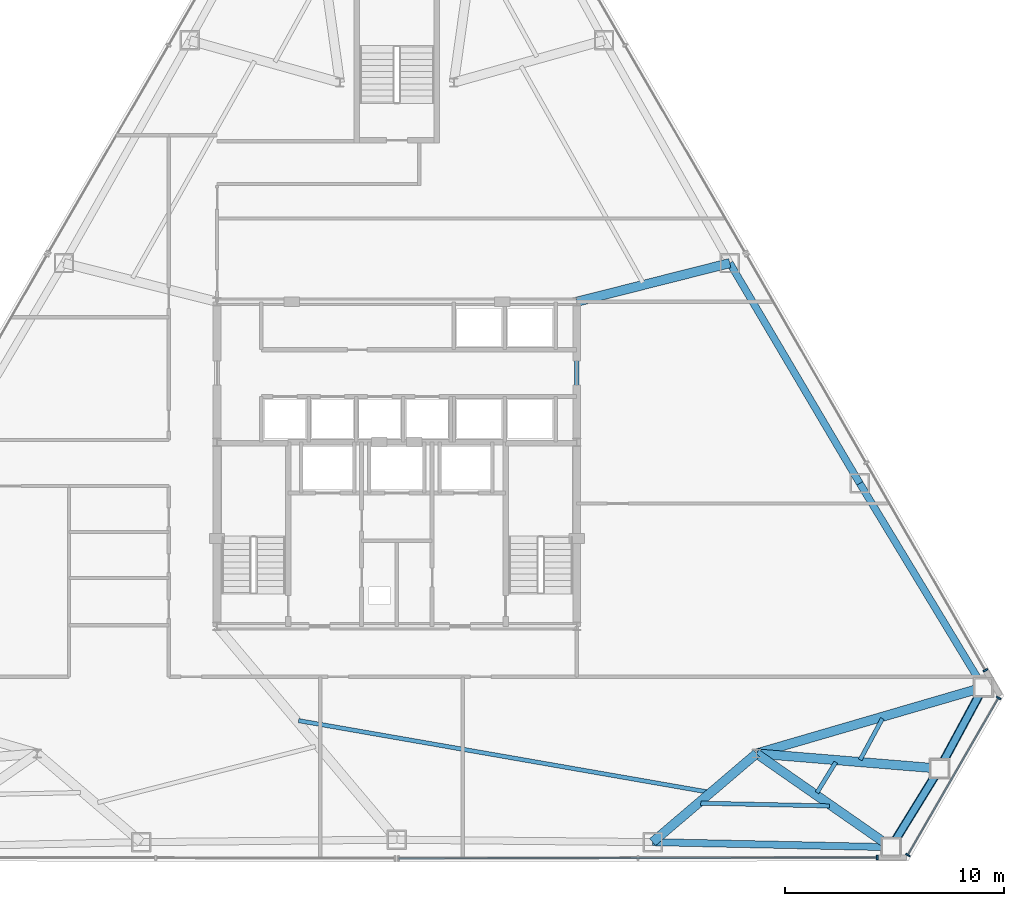
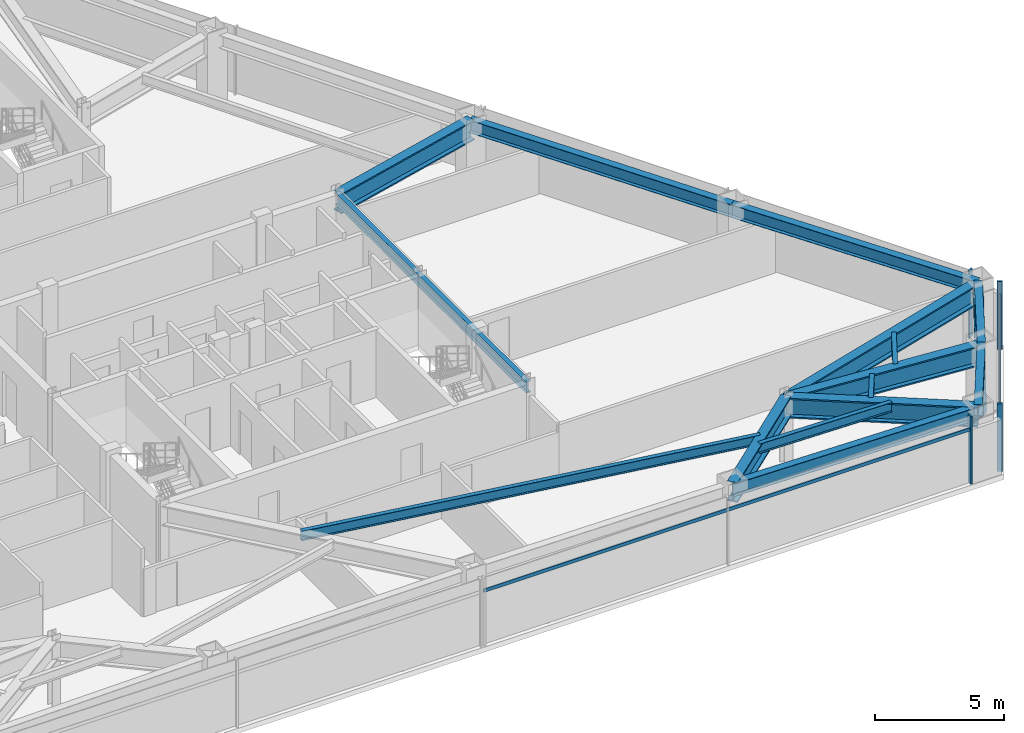
# One storey, part 6 of 13: 15 beams, 8 members, 3 elements without a shape of their own.
"""IFC4 building model written with IfcOpenShell, lengths in metres."""

import ifcopenshell
import ifcopenshell.guid

model = None  # the IFC model being written
_history = None  # IfcOwnerHistory: only IFC2X3 demands one
_inside = {}  # id of a spatial element -> (the spatial element, [elements in it])
_under = {}  # id of a project, library or spatial element -> (it, [spatial elements below it])
_declared = {}  # id of a project -> (the project, [libraries it declares])
_typed = {}  # id of a type object -> (the type object, [elements of that type])
_made_of = {}  # id of a material, layer set ... -> (it, [elements and type objects made of it])


def new_model(schema):
    """Start an empty IFC model of exactly this schema.

    Asked for "IFC4X3", IfcOpenShell would pick the latest addendum, in which some entities
    have other attributes; the version numbers below select the first issue.
    IFC2X3 requires an IfcOwnerHistory on every rooted entity: one is made here for all.
    """
    global model, _history
    if schema == "IFC4X3":
        model = ifcopenshell.file(schema_version=(4, 3, 0, 0))
    else:
        model = ifcopenshell.file(schema=schema)
    _inside.clear()
    _under.clear()
    _declared.clear()
    _typed.clear()
    _made_of.clear()
    _history = None
    if model.schema == "IFC2X3":
        org = make("IfcOrganization", Name="unknown")
        user = make(
            "IfcPersonAndOrganization",
            ThePerson=make("IfcPerson", FamilyName="unknown"),
            TheOrganization=org,
        )
        app = make(
            "IfcApplication",
            ApplicationDeveloper=org,
            Version="unknown",
            ApplicationFullName="unknown",
            ApplicationIdentifier="unknown",
        )
        _history = make(
            "IfcOwnerHistory",
            OwningUser=user,
            OwningApplication=app,
            ChangeAction="ADDED",
            CreationDate=0,
        )
    return model


def make(cls, **values):
    """One entity of the class cls with the attributes given. An attribute that is None is left unset."""
    return model.create_entity(
        cls, **{name: value for name, value in values.items() if value is not None}
    )


def rooted(cls, **values):
    """An entity with a GlobalId (a new one), such as an element, a storey or a relation."""
    return make(cls, GlobalId=ifcopenshell.guid.new(), OwnerHistory=_history, **values)


def si_unit(unit_type, name, prefix=None):
    """IfcSIUnit, for example si_unit("LENGTHUNIT", "METRE", prefix="MILLI")."""
    return make("IfcSIUnit", UnitType=unit_type, Prefix=prefix, Name=name)


def assignment(units):
    """IfcUnitAssignment: the units of a project."""
    return None if units is None else make("IfcUnitAssignment", Units=units)


def point(xyz):
    """IfcCartesianPoint."""
    return None if xyz is None else make("IfcCartesianPoint", Coordinates=xyz)


def direction(xyz):
    """IfcDirection."""
    return None if xyz is None else make("IfcDirection", DirectionRatios=xyz)


def frame(location, z_axis=None, x_axis=None):
    """IfcAxis2Placement3D, a coordinate frame: its origin and axes. An axis left out is left unset."""
    return make(
        "IfcAxis2Placement3D",
        Location=point(location),
        Axis=direction(z_axis),
        RefDirection=direction(x_axis),
    )


def frame_2d(location, x_axis=None):
    """IfcAxis2Placement2D, a coordinate frame in the plane: its origin and x axis."""
    return make(
        "IfcAxis2Placement2D", Location=point(location), RefDirection=direction(x_axis)
    )


def origin():
    """The frame at (0, 0, 0) with its axes left unset."""
    return frame((0.0, 0.0, 0.0))


def origin_2d():
    """The frame at (0, 0) in the plane with its x axis left unset."""
    return frame_2d((0.0, 0.0))


def place(relative_to, where):
    """IfcLocalPlacement: puts the frame where relative to a parent placement (None: the world)."""
    return make(
        "IfcLocalPlacement", PlacementRelTo=relative_to, RelativePlacement=where
    )


def context(
    kind, dimensions, precision=None, world=None, true_north=None, identifier=None
):
    """IfcGeometricRepresentationContext, for example the 3D "Model" context."""
    return make(
        "IfcGeometricRepresentationContext",
        ContextIdentifier=identifier,
        ContextType=kind,
        CoordinateSpaceDimension=dimensions,
        Precision=precision,
        WorldCoordinateSystem=world,
        TrueNorth=true_north,
    )


def subcontext(parent, identifier, kind, view, scale=None):
    """IfcGeometricRepresentationSubContext, for example "Body" below "Model"."""
    return make(
        "IfcGeometricRepresentationSubContext",
        ContextIdentifier=identifier,
        ContextType=kind,
        ParentContext=parent,
        TargetScale=scale,
        TargetView=view,
    )


def project(units=None, contexts=None):
    """IfcProject with its units and contexts."""
    return rooted(
        "IfcProject",
        Name="project",
        RepresentationContexts=contexts,
        UnitsInContext=assignment(units),
    )


def spatial(cls, under=None, at=None, **own):
    """A site, building, storey or space (cls), placed at a placement, below another one or the project."""
    s = rooted(cls, ObjectPlacement=at, **own)
    if under is not None:
        _under.setdefault(under.id(), (under, []))[1].append(s)
    return s


def profile(cls, at=None, kind="AREA", **sizes):
    """A parametric profile (cls). Its sizes go by their IFC names, for example OverallWidth=200.0."""
    return make(cls, ProfileType=kind, Position=at, **sizes)


def rectangle(**sizes):
    """IfcRectangleProfileDef."""
    return profile("IfcRectangleProfileDef", **sizes)


def hollow_rectangle(**sizes):
    """IfcRectangleHollowProfileDef."""
    return profile("IfcRectangleHollowProfileDef", **sizes)


def i_section(**sizes):
    """IfcIShapeProfileDef."""
    return profile("IfcIShapeProfileDef", **sizes)


def extrude(swept, where, along, depth):
    """IfcExtrudedAreaSolid: the profile swept, set in the frame where, extruded along a direction by depth."""
    return make(
        "IfcExtrudedAreaSolid",
        SweptArea=swept,
        Position=where,
        ExtrudedDirection=direction(along),
        Depth=depth,
    )


def shape(context_of_items, identifier, shape_type, items):
    """IfcShapeRepresentation: the items that make up one representation, for example the "Body"."""
    return make(
        "IfcShapeRepresentation",
        ContextOfItems=context_of_items,
        RepresentationIdentifier=identifier,
        RepresentationType=shape_type,
        Items=items,
    )


def source(mapping_origin, context_of_items, identifier, shape_type, items):
    """IfcRepresentationMap: a shape defined once, which mapped items show again and again."""
    return make(
        "IfcRepresentationMap",
        MappingOrigin=mapping_origin,
        MappedRepresentation=shape(context_of_items, identifier, shape_type, items),
    )


def transform(
    local_origin,
    x_axis=None,
    y_axis=None,
    z_axis=None,
    scale=None,
    scale2=None,
    scale3=None,
    uniform=True,
):
    """IfcCartesianTransformationOperator3D, or its non-uniform kind. x_axis, y_axis, z_axis: its Axis1, 2, 3."""
    if uniform:
        return make(
            "IfcCartesianTransformationOperator3D",
            Axis1=direction(x_axis),
            Axis2=direction(y_axis),
            LocalOrigin=point(local_origin),
            Scale=scale,
            Axis3=direction(z_axis),
        )
    return make(
        "IfcCartesianTransformationOperator3DnonUniform",
        Axis1=direction(x_axis),
        Axis2=direction(y_axis),
        LocalOrigin=point(local_origin),
        Scale=scale,
        Axis3=direction(z_axis),
        Scale2=scale2,
        Scale3=scale3,
    )


def mapped(mapping_source, mapping_target):
    """IfcMappedItem: shows the shape of a source again, moved by a transform."""
    return make(
        "IfcMappedItem", MappingSource=mapping_source, MappingTarget=mapping_target
    )


def material(Name=None, Category=None):
    """IfcMaterial."""
    return make("IfcMaterial", Name=Name, Category=Category)


def layer(
    of_material, thickness, ventilated=None, Name=None, Category=None, Priority=None
):
    """IfcMaterialLayer: one layer of a wall or slab, of a material (None: an air gap)."""
    return make(
        "IfcMaterialLayer",
        Material=of_material,
        LayerThickness=thickness,
        IsVentilated=ventilated,
        Name=Name,
        Category=Category,
        Priority=Priority,
    )


def layer_set(layers, Name=None):
    """IfcMaterialLayerSet."""
    return make("IfcMaterialLayerSet", MaterialLayers=layers, LayerSetName=Name)


def material_profile(
    of_material, cross_section, Name=None, Category=None, Priority=None
):
    """IfcMaterialProfile: a cross section and its material."""
    return make(
        "IfcMaterialProfile",
        Name=Name,
        Material=of_material,
        Profile=cross_section,
        Priority=Priority,
        Category=Category,
    )


def profile_set(profiles, Name=None, composite=None):
    """IfcMaterialProfileSet."""
    return make(
        "IfcMaterialProfileSet",
        Name=Name,
        MaterialProfiles=profiles,
        CompositeProfile=composite,
    )


def made_of(thing, what):
    """Note that an element or type object is made of a material, layer set ...; save() writes the relation."""
    if what is not None:
        _made_of.setdefault(what.id(), (what, []))[1].append(thing)
    return thing


def type_object(cls, material=None, **own):
    """A type object (cls), such as IfcWallType, which elements share."""
    return made_of(rooted(cls, **own), material)


def type_shapes(of_type, sources):
    """Give a type object the sources (RepresentationMaps) that its elements show as mapped items."""
    of_type.RepresentationMaps = sources


def element(
    cls,
    number,
    at=None,
    inside=None,
    cuts=None,
    type_object=None,
    material=None,
    context=None,
    identifier="Body",
    shape_type=None,
    held_by="IfcProductDefinitionShape",
    body=None,
    shapes=None,
    **own,
):
    """One element of the class cls, such as IfcWall. Its Tag is "e" and its number.

    at: its placement. inside: the storey or other place that contains it. cuts: it is an
    opening in that element (IfcRelVoidsElement). A single representation is given by context,
    identifier, shape_type and body (its items); several are given by shapes. held_by: the class
    of the entity that holds the representations. save() writes the other relations.
    """
    e = rooted(cls, Tag="e%d" % number, ObjectPlacement=at, **own)
    if body is not None:
        shapes = [shape(context, identifier, shape_type, body)]
    if shapes is not None:
        e.Representation = make(held_by, Representations=shapes)
    if inside is not None:
        _inside.setdefault(inside.id(), (inside, []))[1].append(e)
    if cuts is not None:
        rooted(
            "IfcRelVoidsElement", RelatingBuildingElement=cuts, RelatedOpeningElement=e
        )
    if type_object is not None:
        _typed.setdefault(type_object.id(), (type_object, []))[1].append(e)
    return made_of(e, material)


def aggregate(whole, parts):
    """IfcRelAggregates: a whole, such as a stair, and the parts it consists of."""
    return rooted("IfcRelAggregates", RelatingObject=whole, RelatedObjects=parts)


def save(model, path):
    """Write the relations noted so far, then the file.

    IfcRelAggregates (storeys below a building ...), IfcRelContainedInSpatialStructure (elements
    in a storey), IfcRelDefinesByType, IfcRelAssociatesMaterial and IfcRelDeclares: one each for
    every whole, place, type object, material and project.
    """
    for whole, parts in _under.values():
        aggregate(whole, parts)
    for where, things in _inside.values():
        rooted(
            "IfcRelContainedInSpatialStructure",
            RelatedElements=things,
            RelatingStructure=where,
        )
    for kind, things in _typed.values():
        rooted("IfcRelDefinesByType", RelatedObjects=things, RelatingType=kind)
    for what, things in _made_of.values():
        rooted("IfcRelAssociatesMaterial", RelatedObjects=things, RelatingMaterial=what)
    for by, libraries in _declared.values():
        rooted("IfcRelDeclares", RelatingContext=by, RelatedDefinitions=libraries)
    model.write(path)


model = new_model("IFC4")

# Units and contexts
model_context = context("Model", 3, precision=1e-05, world=origin(), true_north=direction((0.0, 1.0)))
body_context = subcontext(model_context, "Body", "Model", "MODEL_VIEW")
ifc_project = project(units=[si_unit("LENGTHUNIT", "METRE"), si_unit("AREAUNIT", "SQUARE_METRE"), si_unit("VOLUMEUNIT", "CUBIC_METRE"), si_unit("PLANEANGLEUNIT", "RADIAN"), si_unit("MASSUNIT", "GRAM", prefix="KILO")], contexts=[model_context])

# Site, building, storey
site_placement = place(None, origin())
site = spatial("IfcSite", under=ifc_project, at=site_placement, CompositionType="ELEMENT")
building_placement = place(site_placement, origin())
building = spatial("IfcBuilding", under=site, at=building_placement, Name="Varakhsha Concourse Tower", CompositionType="ELEMENT")
storey_placement = place(building_placement, frame((0.0, 0.0, 122.89990234375)))
storey = spatial("IfcBuildingStorey", under=building, at=storey_placement, Name="L35", CompositionType="ELEMENT", Elevation=122.89990234375)

# Beams
ifc_material_1 = material(Name="Structural Steel ASTM A992 Grade 50", Category="steel")
ifc_material_profile_1 = material_profile(ifc_material_1, i_section(OverallWidth=0.19091796875, OverallDepth=0.45703125, WebThickness=0.009033203125, FlangeThickness=0.013916015625, at=origin_2d()), Name="W18X50")
ifc_profile_set_1 = profile_set([ifc_material_profile_1], Name="Structural Steel ASTM A992 Grade 50")
beam_type_1 = type_object("IfcBeamType", Name="BM-JST-W18X50", PredefinedType="JOIST", material=ifc_profile_set_1)
beam_1_placement = place(storey_placement, frame((35.516357421875, 12.1005859375, 2.981689453125), z_axis=(0.985132222832, -0.171797856619, 0.0), x_axis=(0.171797856619, 0.985132222832, 0.0)))
element("IfcBeam", 1, at=beam_1_placement, inside=storey, type_object=beam_type_1, Name="BM-TJST-L35-11", PredefinedType="JOIST", context=body_context, shape_type="SweptSolid", body=[
    extrude(i_section(OverallWidth=0.19091796875, OverallDepth=0.45703125, WebThickness=0.009033203125, FlangeThickness=0.013916015625, at=origin_2d()), origin(), (0.0, 0.0, 1.0), 18.972900390625),
])
beam_2_placement = place(storey_placement, frame((53.857177734375, 8.3349609375, 2.981689453125), z_axis=(0.999775026697, -0.021210751846, 0.0), x_axis=(0.021210751846, 0.999775026697, 0.0)))
element("IfcBeam", 2, at=beam_2_placement, inside=storey, type_object=beam_type_1, Name="BM-TJST-L35-12", PredefinedType="JOIST", context=body_context, shape_type="SweptSolid", body=[
    extrude(i_section(OverallWidth=0.19091796875, OverallDepth=0.45703125, WebThickness=0.009033203125, FlangeThickness=0.013916015625, at=origin_2d()), origin(), (0.0, 0.0, 1.0), 5.8701171875),
])
beam_3_placement = place(storey_placement, frame((59.157470703125, 8.814208984375, 2.981689453125), z_axis=(0.524639543075, 0.851324468016, 0.0), x_axis=(-0.851324468016, 0.524639543075, 0.0)))
element("IfcBeam", 3, at=beam_3_placement, inside=storey, type_object=beam_type_1, Name="BM-TJST-L35-13", PredefinedType="JOIST", context=body_context, shape_type="SweptSolid", body=[
    extrude(i_section(OverallWidth=0.19091796875, OverallDepth=0.45703125, WebThickness=0.009033203125, FlangeThickness=0.013916015625, at=origin_2d()), origin(), (0.0, 0.0, 1.0), 1.6328125),
])
beam_4_placement = place(storey_placement, frame((61.12548828125, 10.312255859375, 2.981689453125), z_axis=(0.474903123938, 0.880038080354, 0.0), x_axis=(-0.880038080354, 0.474903123938, 0.0)))
element("IfcBeam", 4, at=beam_4_placement, inside=storey, type_object=beam_type_1, Name="BM-TJST-L35-14", PredefinedType="JOIST", context=body_context, shape_type="SweptSolid", body=[
    extrude(i_section(OverallWidth=0.19091796875, OverallDepth=0.45703125, WebThickness=0.009033203125, FlangeThickness=0.013916015625, at=origin_2d()), origin(), (0.0, 0.0, 1.0), 2.13818359375),
])
ifc_material_profile_2 = material_profile(ifc_material_1, i_section(OverallWidth=0.423095703125, OverallDepth=0.947998046875, WebThickness=0.0380859375, FlangeThickness=0.06396484375, at=origin_2d()), Name="W36X302")
ifc_profile_set_2 = profile_set([ifc_material_profile_2], Name="Structural Steel ASTM A992 Grade 50")
beam_type_2 = type_object("IfcBeamType", Name="BM-OUTR-W36X302", PredefinedType="USERDEFINED", material=ifc_profile_set_2)
beam_5_placement = place(storey_placement, frame((56.39990234375, 10.60009765625, 2.736083984375), z_axis=(-0.760826549382, -0.648955284866, 0.0), x_axis=(0.648955284866, -0.760826549382, 0.0)))
element("IfcBeam", 5, at=beam_5_placement, inside=storey, type_object=beam_type_2, Name="L35 Radial Floor Girder 12", ObjectType="GIRDER", PredefinedType="USERDEFINED", context=body_context, shape_type="SweptSolid", body=[
    extrude(i_section(OverallWidth=0.423095703125, OverallDepth=0.947998046875, WebThickness=0.0380859375, FlangeThickness=0.06396484375, at=origin_2d()), origin(), (0.0, 0.0, 1.0), 6.226318359375),
])
beam_6_placement = place(storey_placement, frame((56.39990234375, 10.60009765625, 2.736083984375), z_axis=(0.820723448581, -0.57132566978, 0.0), x_axis=(0.57132566978, 0.820723448581, 0.0)))
element("IfcBeam", 6, at=beam_6_placement, inside=storey, type_object=beam_type_2, Name="L35 Radial Floor Girder 13", ObjectType="GIRDER", PredefinedType="USERDEFINED", context=body_context, shape_type="SweptSolid", body=[
    extrude(i_section(OverallWidth=0.423095703125, OverallDepth=0.947998046875, WebThickness=0.0380859375, FlangeThickness=0.06396484375, at=origin_2d()), origin(), (0.0, 0.0, 1.0), 7.47607421875),
])
beam_7_placement = place(storey_placement, frame((56.39990234375, 10.60009765625, 2.736083984375), z_axis=(0.996630888182, -0.082017514729, 0.0), x_axis=(0.082017514729, 0.996630888182, 0.0)))
element("IfcBeam", 7, at=beam_7_placement, inside=storey, type_object=beam_type_2, Name="L35 Radial Floor Girder 14", ObjectType="GIRDER", PredefinedType="USERDEFINED", context=body_context, shape_type="SweptSolid", body=[
    extrude(i_section(OverallWidth=0.423095703125, OverallDepth=0.947998046875, WebThickness=0.0380859375, FlangeThickness=0.06396484375, at=origin_2d()), origin(), (0.0, 0.0, 1.0), 8.37353515625),
])
beam_8_placement = place(storey_placement, frame((56.39990234375, 10.60009765625, 2.736083984375), z_axis=(0.959956092068, 0.280150497593, 0.0), x_axis=(-0.280150497593, 0.959956092068, 0.0)))
element("IfcBeam", 8, at=beam_8_placement, inside=storey, type_object=beam_type_2, Name="L35 Radial Floor Girder 15", ObjectType="GIRDER", PredefinedType="USERDEFINED", context=body_context, shape_type="SweptSolid", body=[
    extrude(i_section(OverallWidth=0.423095703125, OverallDepth=0.947998046875, WebThickness=0.0380859375, FlangeThickness=0.06396484375, at=origin_2d()), origin(), (0.0, 0.0, 1.0), 10.776611328125),
])
beam_9_placement = place(storey_placement, frame((48.199951171875, 31.199951171875, 2.736083984375), z_axis=(0.969508926841, 0.245055995183, 0.0), x_axis=(-0.245055995183, 0.969508926841, 0.0)))
element("IfcBeam", 9, at=beam_9_placement, inside=storey, type_object=beam_type_2, Name="L35 Radial Floor Girder 17", ObjectType="GIRDER", PredefinedType="USERDEFINED", context=body_context, shape_type="SweptSolid", body=[
    extrude(i_section(OverallWidth=0.423095703125, OverallDepth=0.947998046875, WebThickness=0.0380859375, FlangeThickness=0.06396484375, at=origin_2d()), origin(), (0.0, 0.0, 1.0), 7.199951171875),
])
ifc_material_profile_3 = material_profile(ifc_material_1, i_section(OverallWidth=0.2109375, OverallDepth=0.5390625, WebThickness=0.011962890625, FlangeThickness=0.01904296875, at=origin_2d()), Name="W21X73")
ifc_profile_set_3 = profile_set([ifc_material_profile_3], Name="Structural Steel ASTM A992 Grade 50")
beam_type_3 = type_object("IfcBeamType", Name="BM-RAD-W21X73", PredefinedType="BEAM", material=ifc_profile_set_3)
beam_10_placement = place(storey_placement, frame((48.199951171875, 16.39990234375, 2.940673828125), z_axis=(0.0, 1.0, 0.0), x_axis=(-1.0, 0.0, 0.0)))
element("IfcBeam", 10, at=beam_10_placement, inside=storey, type_object=beam_type_3, Name="BM-TCORE-L35-CE", PredefinedType="BEAM", context=body_context, shape_type="SweptSolid", body=[
    extrude(i_section(OverallWidth=0.2109375, OverallDepth=0.5390625, WebThickness=0.011962890625, FlangeThickness=0.01904296875, at=origin_2d()), origin(), (0.0, 0.0, 1.0), 14.800048828125),
])
ifc_material_profile_4 = material_profile(ifc_material_1, i_section(OverallWidth=0.323974609375, OverallDepth=0.611083984375, WebThickness=0.012939453125, FlangeThickness=0.01904296875, at=origin_2d()), Name="W24X104")
ifc_profile_set_4 = profile_set([ifc_material_profile_4], Name="Structural Steel ASTM A992 Grade 50")
beam_type_4 = type_object("IfcBeamType", Name="BM-SPAN-W24X104", PredefinedType="SPANDREL", material=ifc_profile_set_4)
beam_11_placement = place(storey_placement, frame((51.662841796875, 6.5595703125, 2.904541015625), z_axis=(0.999774947376, -0.021214490295, 0.0), x_axis=(0.021214490295, 0.999774947376, 0.0)))
element("IfcBeam", 11, at=beam_11_placement, inside=storey, type_object=beam_type_4, Name="BM-SPAN-L35-12", PredefinedType="SPANDREL", context=body_context, shape_type="SweptSolid", body=[
    extrude(i_section(OverallWidth=0.323974609375, OverallDepth=0.611083984375, WebThickness=0.012939453125, FlangeThickness=0.01904296875, at=origin_2d()), origin(), (0.0, 0.0, 1.0), 10.875244140625),
])
beam_12_placement = place(storey_placement, frame((62.53564453125, 6.328857421875, 2.904541015625), z_axis=(0.524724867896, 0.851271879608, 0.0), x_axis=(-0.851271879608, 0.524724867896, 0.0)))
element("IfcBeam", 12, at=beam_12_placement, inside=storey, type_object=beam_type_4, Name="BM-SPAN-L35-13", PredefinedType="SPANDREL", context=body_context, shape_type="SweptSolid", body=[
    extrude(i_section(OverallWidth=0.323974609375, OverallDepth=0.611083984375, WebThickness=0.012939453125, FlangeThickness=0.01904296875, at=origin_2d()), origin(), (0.0, 0.0, 1.0), 4.210693359375),
])
beam_13_placement = place(storey_placement, frame((64.7451171875, 9.913330078125, 2.904541015625), z_axis=(0.474894827548, 0.880042557362, 0.0), x_axis=(-0.880042557362, 0.474894827548, 0.0)))
element("IfcBeam", 13, at=beam_13_placement, inside=storey, type_object=beam_type_4, Name="BM-SPAN-L35-14", PredefinedType="SPANDREL", context=body_context, shape_type="SweptSolid", body=[
    extrude(i_section(OverallWidth=0.323974609375, OverallDepth=0.611083984375, WebThickness=0.012939453125, FlangeThickness=0.01904296875, at=origin_2d()), origin(), (0.0, 0.0, 1.0), 4.2109375),
])
beam_14_placement = place(storey_placement, frame((66.744873046875, 13.619140625, 2.904541015625), z_axis=(-0.518277337211, 0.855212606159, 0.0), x_axis=(-0.855212606159, -0.518277337211, 0.0)))
element("IfcBeam", 14, at=beam_14_placement, inside=storey, type_object=beam_type_4, Name="BM-SPAN-L35-15", PredefinedType="SPANDREL", context=body_context, shape_type="SweptSolid", body=[
    extrude(i_section(OverallWidth=0.323974609375, OverallDepth=0.611083984375, WebThickness=0.012939453125, FlangeThickness=0.01904296875, at=origin_2d()), origin(), (0.0, 0.0, 1.0), 10.87548828125),
])
beam_15_placement = place(storey_placement, frame((61.1083984375, 22.919921875, 2.904541015625), z_axis=(-0.508260965331, 0.861203106776, 0.0), x_axis=(-0.861203106776, -0.508260965331, 0.0)))
element("IfcBeam", 15, at=beam_15_placement, inside=storey, type_object=beam_type_4, Name="BM-SPAN-L35-16", PredefinedType="SPANDREL", context=body_context, shape_type="SweptSolid", body=[
    extrude(i_section(OverallWidth=0.323974609375, OverallDepth=0.611083984375, WebThickness=0.012939453125, FlangeThickness=0.01904296875, at=origin_2d()), origin(), (0.0, 0.0, 1.0), 11.663330078125),
])

# Members
ifc_material_2 = material(Name="Structural Steel ASTM A500 Grade C", Category="steel")
ifc_material_profile_5 = material_profile(ifc_material_2, hollow_rectangle(XDim=0.39990234375, YDim=0.39990234375, WallThickness=0.01611328125, at=origin_2d()), Name="HSS 400x400x16")
ifc_profile_set_5 = profile_set([ifc_material_profile_5], Name="Structural Steel ASTM A500 Grade C")
member_type_1 = type_object("IfcMemberType", Name="MB-TUBE-HSS400", PredefinedType="BRACE", material=ifc_profile_set_5)
shared_shape_1 = source(origin(), body_context, "Body", "SweptSolid", [
    extrude(hollow_rectangle(XDim=0.39990234375, YDim=0.39990234375, WallThickness=0.01611328125, at=origin_2d()), origin(), (0.0, 0.0, 1.0), 5.05126953125),
])
type_shapes(member_type_1, [shared_shape_1])
for number, where, z_axis, x_axis, name in (
    (16, (64.7451171875, 9.913330078125, 0.1201171875), (-0.43741616757, -0.709629190306, 0.552352703093), (0.851271879608, -0.524724867896, 0.0), "L35 Wind-Corner Tube Brace B05"),
    (17, (64.7451171875, 9.913330078125, 0.1201171875), (0.395883594231, 0.733624353173, 0.552332769488), (-0.880042557362, 0.474894827548, 0.0), "L35 Wind-Corner Tube Brace B06"),
):
    element("IfcMember", number, at=place(storey_placement, frame(where, z_axis=z_axis, x_axis=x_axis)), inside=storey, type_object=member_type_1, Name=name, PredefinedType="BRACE", context=body_context, shape_type="MappedRepresentation", body=[
        mapped(shared_shape_1, transform((0.0, 0.0, 0.0), scale=1.0)),
    ])

# Curtain wall, members
ifc_material_3 = material(Name="Anodised Bronze Architectural Aluminium AA 6063-T6", Category="aluminium")
ifc_layer = layer(ifc_material_3, 0.2099609375, Name="CW-SYS-04")
ifc_layer_set = layer_set([ifc_layer], Name="Anodised Bronze Architectural Aluminium AA 6063-T6")
curtain_wall_type = type_object("IfcCurtainWallType", Name="CW-SYS-04", PredefinedType="NOTDEFINED", material=ifc_layer_set)
curtain_wall_1_placement = place(storey_placement, origin())
curtain_wall_1 = element("IfcCurtainWall", 18, at=curtain_wall_1_placement, inside=storey, type_object=curtain_wall_type, Name="L35 Crystal Curtain Wall F6", PredefinedType="NOTDEFINED")
ifc_material_profile_6 = material_profile(ifc_material_3, rectangle(XDim=0.06494140625, YDim=0.159912109375, at=origin_2d()), Name="CWT-160X65")
ifc_profile_set_6 = profile_set([ifc_material_profile_6], Name="Anodised Bronze Architectural Aluminium AA 6063-T6")
member_type_2 = type_object("IfcMemberType", Name="CWT-160X65", PredefinedType="USERDEFINED", material=ifc_profile_set_6)
shared_shape_2 = source(origin(), body_context, "Body", "SweptSolid", [
    extrude(rectangle(XDim=0.06494140625, YDim=0.159912109375, at=origin_2d()), origin(), (0.0, 0.0, 1.0), 21.82861328125),
])
member_1_placement = place(storey_placement, frame((61.908203125, 5.857421875, 2.56005859375), z_axis=(-0.99999847789, -0.001744768623, 0.0), x_axis=(0.001744768623, -0.99999847789, 0.0)))
member_1 = element("IfcMember", 19, at=member_1_placement, type_object=member_type_2, Name="CW-L35-F6 Transom 01", ObjectType="TRANSOM", PredefinedType="USERDEFINED", context=body_context, shape_type="MappedRepresentation", body=[
    mapped(shared_shape_2, transform((0.0, 0.0, 0.0), scale=1.0)),
])
ifc_material_profile_7 = material_profile(ifc_material_3, rectangle(XDim=0.074951171875, YDim=0.219970703125, at=origin_2d()), Name="CWM-220X75")
ifc_profile_set_7 = profile_set([ifc_material_profile_7], Name="Anodised Bronze Architectural Aluminium AA 6063-T6")
member_type_3 = type_object("IfcMemberType", Name="CWM-220X75", PredefinedType="MULLION", material=ifc_profile_set_7)
shared_shape_3 = source(origin(), body_context, "Body", "SweptSolid", [
    extrude(rectangle(XDim=0.074951171875, YDim=0.219970703125, at=origin_2d()), origin(), (0.0, 0.0, 1.0), 3.210205078125),
])
type_shapes(member_type_3, [shared_shape_3])
member_2_placement = place(storey_placement, frame((61.908203125, 5.857421875, 0.0), z_axis=(0.0, 0.0, 1.0), x_axis=(-0.999998476913, -0.001745328366, 0.0)))
member_2 = element("IfcMember", 20, at=member_2_placement, type_object=member_type_3, Name="CW-L35-F6 Mullion 00", PredefinedType="MULLION", context=body_context, shape_type="MappedRepresentation", body=[
    mapped(shared_shape_3, transform((0.0, 0.0, 0.0), scale=1.0)),
])
aggregate(curtain_wall_1, [member_2, member_1])

curtain_wall_2_placement = place(storey_placement, origin())
curtain_wall_2 = element("IfcCurtainWall", 21, at=curtain_wall_2_placement, inside=storey, type_object=curtain_wall_type, Name="L35 Chamfer Curtain Wall F7", PredefinedType="NOTDEFINED")
member_3_placement = place(storey_placement, frame((67.437255859375, 13.13623046875, 0.0), z_axis=(0.0, 0.0, 1.0), x_axis=(-0.500001511499, -0.866024531118, 0.0)))
member_3 = element("IfcMember", 22, at=member_3_placement, type_object=member_type_3, Name="CW-L35-F7 Mullion 00", PredefinedType="MULLION", context=body_context, shape_type="MappedRepresentation", body=[
    mapped(shared_shape_3, transform((0.0, 0.0, 0.0), scale=1.0)),
])
member_4_placement = place(storey_placement, frame((63.300048828125, 5.970458984375, 0.0), z_axis=(0.0, 0.0, 1.0), x_axis=(-0.500001511499, -0.866024531118, 0.0)))
member_4 = element("IfcMember", 23, at=member_4_placement, type_object=member_type_3, Name="CW-L35-F7 Mullion 01", PredefinedType="MULLION", context=body_context, shape_type="MappedRepresentation", body=[
    mapped(shared_shape_3, transform((0.0, 0.0, 0.0), scale=1.0)),
])

# Curtain wall, member
curtain_wall_3_placement = place(storey_placement, origin())
curtain_wall_3 = element("IfcCurtainWall", 24, at=curtain_wall_3_placement, inside=storey, type_object=curtain_wall_type, Name="L35 Crystal Curtain Wall F8", PredefinedType="NOTDEFINED")
member_5_placement = place(storey_placement, frame((66.839111328125, 14.398193359375, 0.0), z_axis=(0.0, 0.0, 1.0), x_axis=(0.498489252773, -0.866895878909, 0.0)))
member_5 = element("IfcMember", 25, at=member_5_placement, type_object=member_type_3, Name="CW-L35-F8 Mullion 02", PredefinedType="MULLION", context=body_context, shape_type="MappedRepresentation", body=[
    mapped(shared_shape_3, transform((0.0, 0.0, 0.0), scale=1.0)),
])
aggregate(curtain_wall_3, [member_5])

# Member
shared_shape_4 = source(origin(), body_context, "Body", "SweptSolid", [
    extrude(rectangle(XDim=0.06494140625, YDim=0.159912109375, at=origin_2d()), origin(), (0.0, 0.0, 1.0), 8.2744140625),
])
type_shapes(member_type_2, [shared_shape_2, shared_shape_4])
member_6_placement = place(storey_placement, frame((67.437255859375, 13.13623046875, 2.56005859375), z_axis=(-0.500004254331, -0.866022947531, 0.0), x_axis=(0.866022947531, -0.500004254331, 0.0)))
member_6 = element("IfcMember", 26, at=member_6_placement, type_object=member_type_2, Name="CW-L35-F7 Transom 01", ObjectType="TRANSOM", PredefinedType="USERDEFINED", context=body_context, shape_type="MappedRepresentation", body=[
    mapped(shared_shape_4, transform((0.0, 0.0, 0.0), scale=1.0)),
])

aggregate(curtain_wall_2, [member_3, member_4, member_6])

save(model, "model.ifc")
